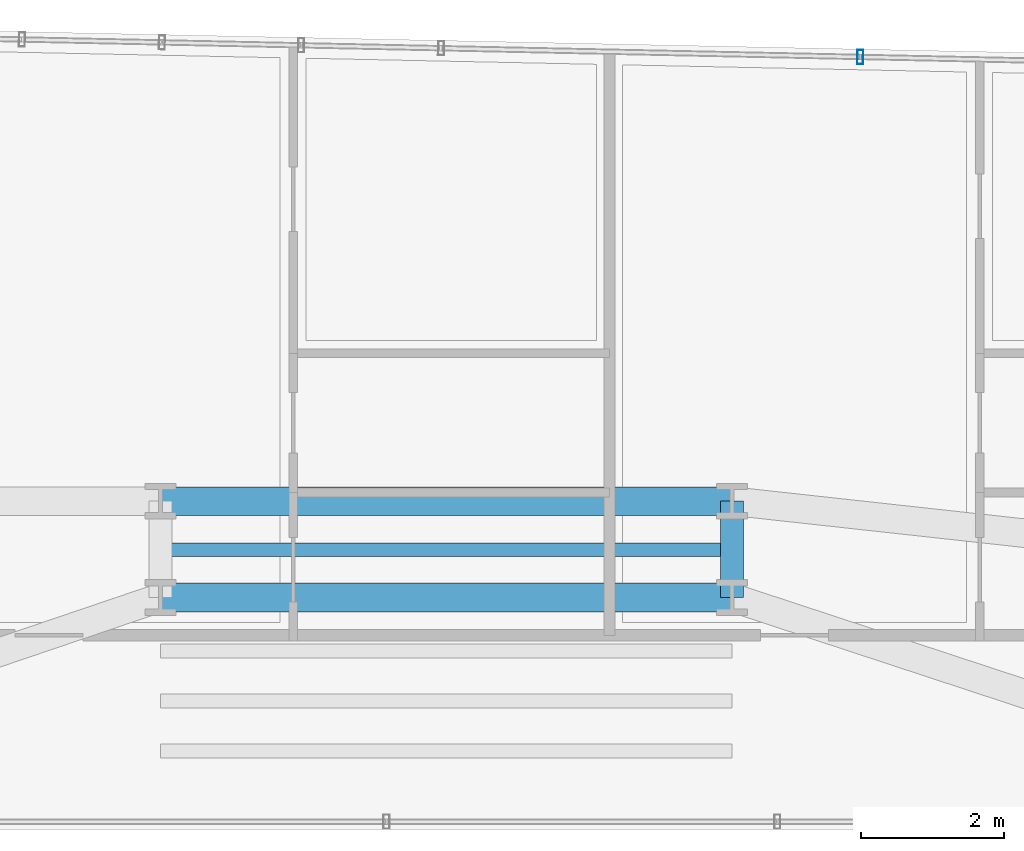
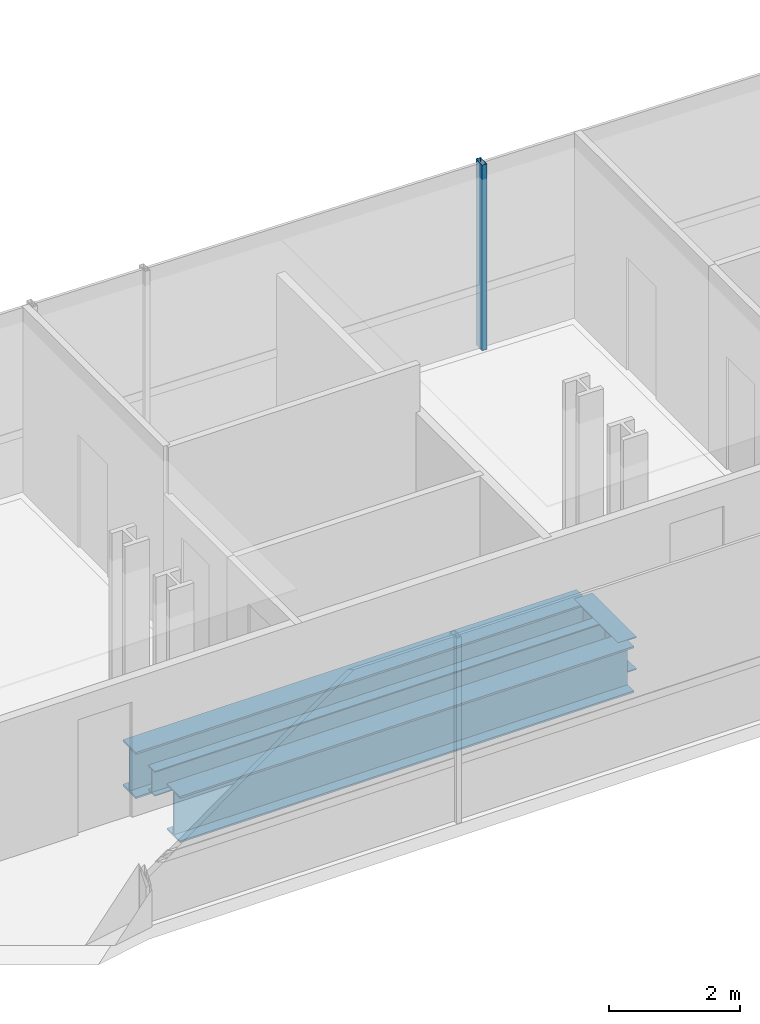
# One storey, part 22 of 42: 4 beams, 1 member, 1 element without a shape of its own.
"""IFC4 building model written with IfcOpenShell, lengths in metres."""

from ifc_helpers import new_model, si_unit, direction, frame, origin, origin_2d, place, context, subcontext, project, spatial, hollow_rectangle, i_section, extrude, source, transform, mapped, material, material_profile, profile_set, type_object, element, aggregate, save


model = new_model("IFC4")

# Units and contexts
model_context = context("Model", 3, precision=1e-05, world=origin(), true_north=direction((0.0, 1.0)))
body_context = subcontext(model_context, "Body", "Model", "MODEL_VIEW")
ifc_project = project(units=[si_unit("LENGTHUNIT", "METRE"), si_unit("AREAUNIT", "SQUARE_METRE"), si_unit("VOLUMEUNIT", "CUBIC_METRE"), si_unit("PLANEANGLEUNIT", "RADIAN"), si_unit("MASSUNIT", "GRAM", prefix="KILO")], contexts=[model_context])

# Site, building, storey
site_placement = place(None, origin())
site = spatial("IfcSite", under=ifc_project, at=site_placement, CompositionType="ELEMENT")
building_placement = place(site_placement, origin())
building = spatial("IfcBuilding", under=site, at=building_placement, Name="Valdorenza Pilgrim Sanctuary Tower", CompositionType="ELEMENT")
storey_placement = place(building_placement, frame((0.0, 0.0, 55.60009765625)))
storey = spatial("IfcBuildingStorey", under=building, at=storey_placement, Name="L13", CompositionType="ELEMENT", Elevation=55.60009765625)

# Beams
ifc_material_1 = material(Name="Steel ASTM A992 Grade 50", Category="steel")
ifc_material_profile_1 = material_profile(ifc_material_1, i_section(OverallWidth=0.39990234375, OverallDepth=0.862060546875, WebThickness=0.019775390625, FlangeThickness=0.032470703125, at=origin_2d()), Name="W33X221")
ifc_profile_set_1 = profile_set([ifc_material_profile_1], Name="Steel ASTM A992 Grade 50")
beam_type_1 = type_object("IfcBeamType", Name="STR-BM-GRD-W33", PredefinedType="BEAM", material=ifc_profile_set_1)
shared_shape_1 = source(origin(), body_context, "Body", "SweptSolid", [
    extrude(i_section(OverallWidth=0.39990234375, OverallDepth=0.862060546875, WebThickness=0.019775390625, FlangeThickness=0.032470703125, at=origin_2d()), origin(), (0.0, 0.0, 1.0), 8.0),
])
for number, where, z_axis, x_axis, name in (
    (1, (-4.0, 13.449951171875, -0.671142578125), (1.0, 0.0, 0.0), (0.0, 1.0, 0.0), "L13 Floor Girder KNK-G2"),
    (2, (-4.0, 14.800048828125, -0.671142578125), (1.0, 0.0, 0.0), (0.0, 1.0, 0.0), "L13 Floor Girder KNK-G5"),
):
    element("IfcBeam", number, at=place(storey_placement, frame(where, z_axis=z_axis, x_axis=x_axis)), inside=storey, type_object=beam_type_1, Name=name, PredefinedType="BEAM", context=body_context, shape_type="MappedRepresentation", body=[
        mapped(shared_shape_1, transform((0.0, 0.0, 0.0), x_axis=(1.0, 0.0, 0.0), y_axis=(0.0, 1.0, 0.0), z_axis=(0.0, 0.0, 1.0), scale=1.0)),
    ])
ifc_material_profile_2 = material_profile(ifc_material_1, i_section(OverallWidth=0.323974609375, OverallDepth=0.611083984375, WebThickness=0.0126953125, FlangeThickness=0.01904296875, at=origin_2d()), Name="W24X104")
ifc_profile_set_2 = profile_set([ifc_material_profile_2], Name="Steel ASTM A992 Grade 50")
beam_type_2 = type_object("IfcBeamType", Name="STR-BM-GRD-W24B", PredefinedType="BEAM", material=ifc_profile_set_2)
shared_shape_2 = source(origin(), body_context, "Body", "SweptSolid", [
    extrude(i_section(OverallWidth=0.323974609375, OverallDepth=0.611083984375, WebThickness=0.0126953125, FlangeThickness=0.01904296875, at=origin_2d()), origin(), (0.0, 0.0, 1.0), 1.35009765625),
])
beam_1_placement = place(storey_placement, frame((4.0, 13.449951171875, -0.545654296875), z_axis=(0.0, 1.0, 0.0), x_axis=(-1.0, 0.0, 0.0)))
element("IfcBeam", 3, at=beam_1_placement, inside=storey, type_object=beam_type_2, Name="L13 Floor Girder KNK-TIE-E", PredefinedType="BEAM", context=body_context, shape_type="MappedRepresentation", body=[
    mapped(shared_shape_2, transform((0.0, 0.0, 0.0), x_axis=(1.0, 0.0, 0.0), y_axis=(0.0, 1.0, 0.0), z_axis=(0.0, 0.0, 1.0), scale=1.0)),
])
ifc_material_profile_3 = material_profile(ifc_material_1, i_section(OverallWidth=0.193115234375, OverallDepth=0.466064453125, WebThickness=0.011474609375, FlangeThickness=0.01904296875, at=origin_2d()), Name="W18X65")
ifc_profile_set_3 = profile_set([ifc_material_profile_3], Name="Steel ASTM A992 Grade 50")
beam_type_3 = type_object("IfcBeamType", Name="STR-BM-JST-W18A", PredefinedType="JOIST", material=ifc_profile_set_3)
shared_shape_3 = source(origin(), body_context, "Body", "SweptSolid", [
    extrude(i_section(OverallWidth=0.193115234375, OverallDepth=0.466064453125, WebThickness=0.011474609375, FlangeThickness=0.01904296875, at=origin_2d()), origin(), (0.0, 0.0, 1.0), 8.0),
])
beam_2_placement = place(storey_placement, frame((-4.0, 14.1201171875, -0.47314453125), z_axis=(1.0, 0.0, 0.0), x_axis=(0.0, 1.0, 0.0)))
element("IfcBeam", 4, at=beam_2_placement, inside=storey, type_object=beam_type_3, Name="L13 Knuckle Composite Joist JST-KNK-4", PredefinedType="JOIST", context=body_context, shape_type="MappedRepresentation", body=[
    mapped(shared_shape_3, transform((0.0, 0.0, 0.0), x_axis=(1.0, 0.0, 0.0), y_axis=(0.0, 1.0, 0.0), z_axis=(0.0, 0.0, 1.0), scale=1.0)),
])

# Curtain wall, member
ifc_material_2 = material(Name="Curtain-wall IGU glazing", Category="glass")
curtain_wall_type = type_object("IfcCurtainWallType", Name="CW-SYS-02", PredefinedType="NOTDEFINED", material=ifc_material_2)
curtain_wall_placement = place(storey_placement, origin())
curtain_wall = element("IfcCurtainWall", 5, at=curtain_wall_placement, inside=storey, type_object=curtain_wall_type, Name="L13 Curtain Wall CW-L13-1-11", PredefinedType="NOTDEFINED")
ifc_material_3 = material(Name="Anodised aluminium AW-6060", Category="aluminium")
ifc_material_profile_4 = material_profile(ifc_material_3, hollow_rectangle(XDim=0.0849609375, YDim=0.199951171875, WallThickness=0.0048828125, at=origin_2d()), Name="ALU-M 200x85x5")
ifc_profile_set_4 = profile_set([ifc_material_profile_4], Name="Anodised aluminium AW-6060")
member_type = type_object("IfcMemberType", Name="CW-MUL-02", PredefinedType="MULLION", material=ifc_profile_set_4)
shared_shape_4 = source(origin(), body_context, "Body", "SweptSolid", [
    extrude(hollow_rectangle(XDim=0.0849609375, YDim=0.199951171875, WallThickness=0.0048828125, at=origin_2d()), origin(), (0.0, 0.0, 1.0), 3.4599609375),
])
member_placement = place(storey_placement, frame((5.797119140625, 21.019287109375, 0.0), z_axis=(0.0, 0.0, 1.0), x_axis=(0.999783234613, -0.020820273474, 0.0)))
member = element("IfcMember", 6, at=member_placement, type_object=member_type, Name="CW-L13-1-11 Mullion 4", PredefinedType="MULLION", context=body_context, shape_type="MappedRepresentation", body=[
    mapped(shared_shape_4, transform((0.0, 0.0, 0.0), x_axis=(1.0, 0.0, 0.0), y_axis=(0.0, 1.0, 0.0), z_axis=(0.0, 0.0, 1.0), scale=1.0)),
])
aggregate(curtain_wall, [member])

save(model, "model.ifc")
